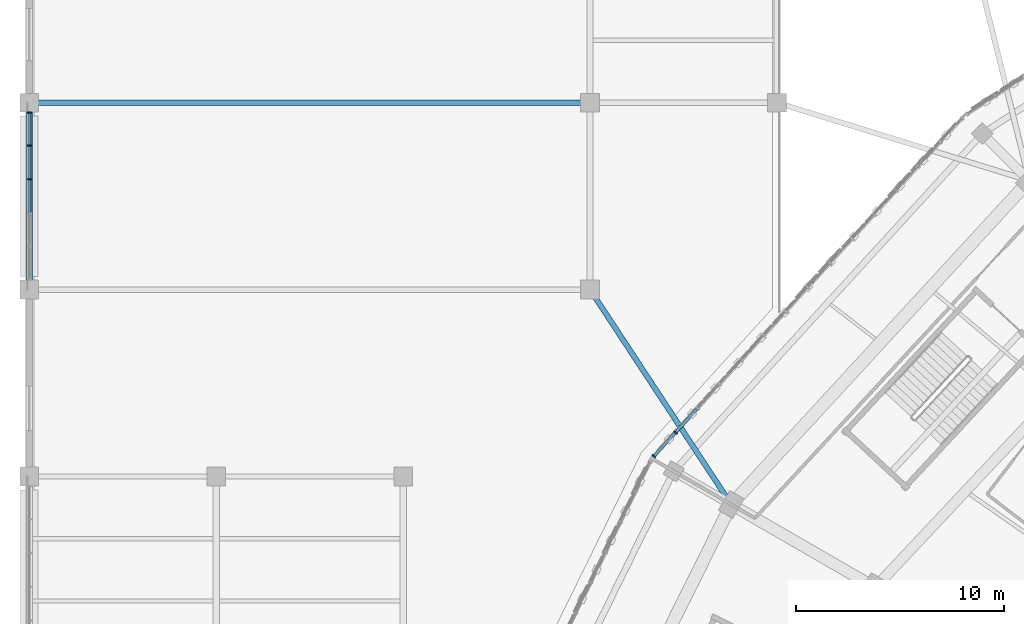
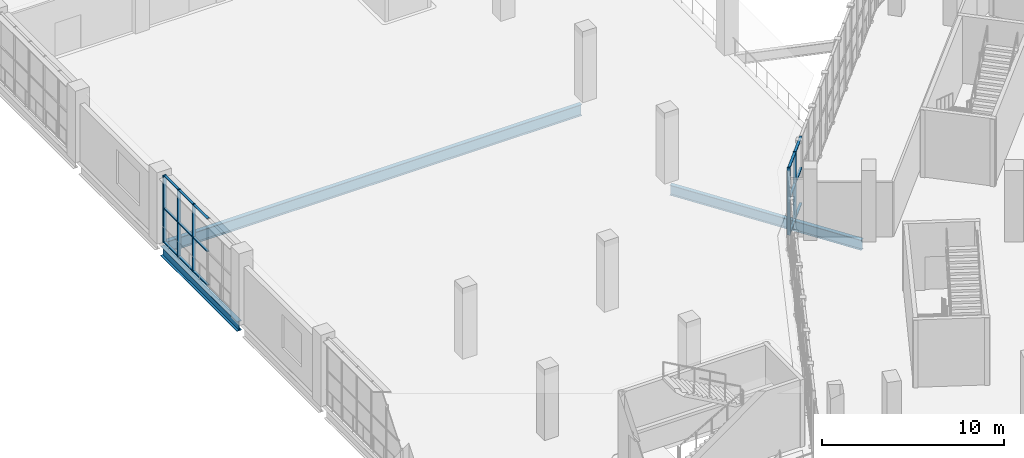
# One storey, part 44 of 183: 20 members, 3 beams, 2 elements without a shape of their own.
"""IFC4 building model written with IfcOpenShell, lengths in metres."""

from ifc_helpers import new_model, si_unit, direction, frame, origin, origin_2d, place, context, subcontext, project, spatial, rectangle, i_section, extrude, material, material_profile, profile_set, type_object, element, aggregate, save


model = new_model("IFC4")

# Units and contexts
model_context = context("Model", 3, precision=1e-05, world=origin(), true_north=direction((0.0, 1.0)))
body_context = subcontext(model_context, "Body", "Model", "MODEL_VIEW")
ifc_project = project(units=[si_unit("LENGTHUNIT", "METRE"), si_unit("AREAUNIT", "SQUARE_METRE"), si_unit("VOLUMEUNIT", "CUBIC_METRE"), si_unit("PLANEANGLEUNIT", "RADIAN"), si_unit("MASSUNIT", "GRAM", prefix="KILO")], contexts=[model_context])

# Site, building, storey
site_placement = place(None, origin())
site = spatial("IfcSite", under=ifc_project, at=site_placement, CompositionType="ELEMENT")
building_placement = place(site_placement, origin())
building = spatial("IfcBuilding", under=site, at=building_placement, Name="Zevraka Park Crest Stadium", CompositionType="ELEMENT")
storey_placement = place(building_placement, frame((0.0, 0.0, 5.39990234375)))
storey = spatial("IfcBuildingStorey", under=building, at=storey_placement, Name="L01", CompositionType="ELEMENT", Elevation=5.39990234375)

# Beams
ifc_material_1 = material(Name="Steel S355", Category="steel")
ifc_material_profile_1 = material_profile(ifc_material_1, i_section(OverallWidth=0.253662109375, OverallDepth=0.68359375, WebThickness=0.012451171875, FlangeThickness=0.01904296875, at=origin_2d()), Name="UKB 686x254x140")
ifc_profile_set_1 = profile_set([ifc_material_profile_1], Name="Steel S355")
beam_type_1 = type_object("IfcBeamType", Name="BG05", PredefinedType="BEAM", material=ifc_profile_set_1)
beam_1_placement = place(storey_placement, frame((27.110107421875, 139.8330078125, -0.649658203125), z_axis=(0.548958685994, -0.835849484699, 0.0), x_axis=(0.835849484699, 0.548958685994, 0.0)))
element("IfcBeam", 1, at=beam_1_placement, inside=storey, type_object=beam_type_1, Name="Wing Link Girder BG05 L01-4/R", PredefinedType="BEAM", context=body_context, shape_type="SweptSolid", body=[
    extrude(i_section(OverallWidth=0.253662109375, OverallDepth=0.68359375, WebThickness=0.012451171875, FlangeThickness=0.01904296875, at=origin_2d()), origin(), (0.0, 0.0, 1.0), 11.80224609375),
])
ifc_material_2 = material(Name="Steel S355", Category="steel")
ifc_material_profile_2 = material_profile(ifc_material_2, i_section(OverallWidth=0.300048828125, OverallDepth=0.64990234375, WebThickness=0.01611328125, FlangeThickness=0.031005859375, at=origin_2d()), Name="HEB 650")
ifc_profile_set_2 = profile_set([ifc_material_profile_2], Name="Steel S355")
beam_type_2 = type_object("IfcBeamType", Name="BG07", PredefinedType="BEAM", material=ifc_profile_set_2)
beam_2_placement = place(storey_placement, frame((0.0, 140.300048828125, -0.6328125), z_axis=(0.0, 1.0, 0.0), x_axis=(-1.0, 0.0, 0.0)))
element("IfcBeam", 2, at=beam_2_placement, inside=storey, type_object=beam_type_2, Name="Wing Girder BG07 L01-1/RS", PredefinedType="BEAM", context=body_context, shape_type="SweptSolid", body=[
    extrude(i_section(OverallWidth=0.300048828125, OverallDepth=0.64990234375, WebThickness=0.01611328125, FlangeThickness=0.031005859375, at=origin_2d()), origin(), (0.0, 0.0, 1.0), 8.39990234375),
])
ifc_material_3 = material(Name="Steel S355", Category="steel")
ifc_material_profile_3 = material_profile(ifc_material_3, i_section(OverallWidth=0.26708984375, OverallDepth=0.761962890625, WebThickness=0.014404296875, FlangeThickness=0.021484375, at=origin_2d()), Name="UKB 762x267x173")
ifc_profile_set_3 = profile_set([ifc_material_profile_3], Name="Steel S355")
beam_type_3 = type_object("IfcBeamType", Name="BG08", PredefinedType="BEAM", material=ifc_profile_set_3)
beam_3_placement = place(storey_placement, frame((0.300048828125, 149.0, -0.68896484375), z_axis=(1.0, 0.0, 0.0), x_axis=(0.0, 1.0, 0.0)))
element("IfcBeam", 3, at=beam_3_placement, inside=storey, type_object=beam_type_3, Name="Wing Girder BG08 L01-14/S", PredefinedType="BEAM", context=body_context, shape_type="SweptSolid", body=[
    extrude(i_section(OverallWidth=0.26708984375, OverallDepth=0.761962890625, WebThickness=0.014404296875, FlangeThickness=0.021484375, at=origin_2d()), origin(), (0.0, 0.0, 1.0), 26.39990234375),
])

# Curtain wall, members
ifc_material_4 = material(Name="Anodised architectural aluminium and laminated safety glass", Category="aluminium")
curtain_wall_type_1 = type_object("IfcCurtainWallType", Name="CW03", PredefinedType="NOTDEFINED", material=ifc_material_4)
curtain_wall_1_placement = place(storey_placement, origin())
curtain_wall_1 = element("IfcCurtainWall", 4, at=curtain_wall_1_placement, inside=storey, type_object=curtain_wall_type_1, Name="Unitised Ring Curtain Wall CW03 L01-09", PredefinedType="NOTDEFINED")
ifc_material_5 = material(Name="Anodised architectural aluminium", Category="aluminium")
ifc_material_profile_4 = material_profile(ifc_material_5, rectangle(XDim=0.199951171875, YDim=0.070068359375, at=origin_2d()), Name="ALU MULLION 200x70")
ifc_profile_set_4 = profile_set([ifc_material_profile_4], Name="Anodised architectural aluminium")
member_type_1 = type_object("IfcMemberType", Name="CM03", PredefinedType="MULLION", material=ifc_profile_set_4)
member_1_placement = place(storey_placement, frame((31.11669921875, 133.11572265625, 0.0), z_axis=(0.0, 0.0, 1.0), x_axis=(0.739023476371, -0.673679672672, 0.0)))
member_1 = element("IfcMember", 5, at=member_1_placement, type_object=member_type_1, Name="CW03 mullion 14", PredefinedType="MULLION", context=body_context, shape_type="SweptSolid", body=[
    extrude(rectangle(XDim=0.199951171875, YDim=0.070068359375, at=origin_2d()), origin(), (0.0, 0.0, 1.0), 4.52001953125),
])
member_2_placement = place(storey_placement, frame((30.07763671875, 131.975830078125, 0.0), z_axis=(0.0, 0.0, 1.0), x_axis=(0.739023476371, -0.673679672672, 0.0)))
member_2 = element("IfcMember", 6, at=member_2_placement, type_object=member_type_1, Name="CW03 mullion 15", PredefinedType="MULLION", context=body_context, shape_type="SweptSolid", body=[
    extrude(rectangle(XDim=0.199951171875, YDim=0.070068359375, at=origin_2d()), origin(), (0.0, 0.0, 1.0), 4.52001953125),
])

ifc_material_6 = material(Name="Anodised architectural aluminium and laminated safety glass", Category="aluminium")
curtain_wall_type_2 = type_object("IfcCurtainWallType", Name="CW30", PredefinedType="NOTDEFINED", material=ifc_material_6)
curtain_wall_2_placement = place(storey_placement, origin())
curtain_wall_2 = element("IfcCurtainWall", 7, at=curtain_wall_2_placement, inside=storey, type_object=curtain_wall_type_2, Name="Wing Curtain Wall CW30 L01-NW-W-4", PredefinedType="NOTDEFINED")
member_3_placement = place(storey_placement, frame((0.0, 145.31201171875, 0.0), z_axis=(0.0, 0.0, 1.0), x_axis=(-1.0, 0.0, 0.0)))
member_3 = element("IfcMember", 8, at=member_3_placement, type_object=member_type_1, Name="CW30 mullion 4", PredefinedType="MULLION", context=body_context, shape_type="SweptSolid", body=[
    extrude(rectangle(XDim=0.199951171875, YDim=0.070068359375, at=origin_2d()), origin(), (0.0, 0.0, 1.0), 4.52001953125),
])
member_4_placement = place(storey_placement, frame((0.0, 146.93603515625, 0.0), z_axis=(0.0, 0.0, 1.0), x_axis=(-1.0, 0.0, 0.0)))
member_4 = element("IfcMember", 9, at=member_4_placement, type_object=member_type_1, Name="CW30 mullion 5", PredefinedType="MULLION", context=body_context, shape_type="SweptSolid", body=[
    extrude(rectangle(XDim=0.199951171875, YDim=0.070068359375, at=origin_2d()), origin(), (0.0, 0.0, 1.0), 4.52001953125),
])
member_5_placement = place(storey_placement, frame((0.0, 148.52490234375, 0.0), z_axis=(0.0, 0.0, 1.0), x_axis=(-1.0, 0.0, 0.0)))
member_5 = element("IfcMember", 10, at=member_5_placement, type_object=member_type_1, Name="CW30 mullion 6", PredefinedType="MULLION", context=body_context, shape_type="SweptSolid", body=[
    extrude(rectangle(XDim=0.199951171875, YDim=0.070068359375, at=origin_2d()), origin(), (0.0, 0.0, 1.0), 4.52001953125),
])

# Member
ifc_material_7 = material(Name="Anodised architectural aluminium", Category="aluminium")
ifc_material_profile_5 = material_profile(ifc_material_7, rectangle(XDim=0.14990234375, YDim=0.070068359375, at=origin_2d()), Name="ALU TRANSOM 150x70")
ifc_profile_set_5 = profile_set([ifc_material_profile_5], Name="Anodised architectural aluminium")
member_type_2 = type_object("IfcMemberType", Name="CT03", PredefinedType="USERDEFINED", material=ifc_profile_set_5)
member_6_placement = place(storey_placement, frame((32.15576171875, 134.255615234375, 0.03515625), z_axis=(-0.673720043681, -0.738986672913, 0.0), x_axis=(0.738986672913, -0.673720043681, 0.0)))
member_6 = element("IfcMember", 11, at=member_6_placement, type_object=member_type_2, Name="CW03 transom 13.1", ObjectType="TRANSOM", PredefinedType="USERDEFINED", context=body_context, shape_type="SweptSolid", body=[
    extrude(rectangle(XDim=0.14990234375, YDim=0.070068359375, at=origin_2d()), origin(), (0.0, 0.0, 1.0), 1.507568359375),
])

member_7_placement = place(storey_placement, frame((32.15576171875, 134.255615234375, 2.400146484375), z_axis=(-0.673720043681, -0.738986672913, 0.0), x_axis=(0.738986672913, -0.673720043681, 0.0)))
member_7 = element("IfcMember", 12, at=member_7_placement, type_object=member_type_2, Name="CW03 transom 13.2", ObjectType="TRANSOM", PredefinedType="USERDEFINED", context=body_context, shape_type="SweptSolid", body=[
    extrude(rectangle(XDim=0.14990234375, YDim=0.070068359375, at=origin_2d()), origin(), (0.0, 0.0, 1.0), 1.507568359375),
])

member_8_placement = place(storey_placement, frame((32.15576171875, 134.255615234375, 4.485107421875), z_axis=(-0.673720043681, -0.738986672913, 0.0), x_axis=(0.738986672913, -0.673720043681, 0.0)))
member_8 = element("IfcMember", 13, at=member_8_placement, type_object=member_type_2, Name="CW03 transom 13.3", ObjectType="TRANSOM", PredefinedType="USERDEFINED", context=body_context, shape_type="SweptSolid", body=[
    extrude(rectangle(XDim=0.14990234375, YDim=0.070068359375, at=origin_2d()), origin(), (0.0, 0.0, 1.0), 1.507568359375),
])

member_9_placement = place(storey_placement, frame((31.093017578125, 133.08984375, 0.03515625), z_axis=(-0.673687280194, -0.739016541429, 0.0), x_axis=(0.739016541429, -0.673687280194, 0.0)))
member_9 = element("IfcMember", 14, at=member_9_placement, type_object=member_type_2, Name="CW03 transom 14.1", ObjectType="TRANSOM", PredefinedType="USERDEFINED", context=body_context, shape_type="SweptSolid", body=[
    extrude(rectangle(XDim=0.14990234375, YDim=0.070068359375, at=origin_2d()), origin(), (0.0, 0.0, 1.0), 1.472412109375),
])

member_10_placement = place(storey_placement, frame((31.093017578125, 133.08984375, 2.400146484375), z_axis=(-0.673687280194, -0.739016541429, 0.0), x_axis=(0.739016541429, -0.673687280194, 0.0)))
member_10 = element("IfcMember", 15, at=member_10_placement, type_object=member_type_2, Name="CW03 transom 14.2", ObjectType="TRANSOM", PredefinedType="USERDEFINED", context=body_context, shape_type="SweptSolid", body=[
    extrude(rectangle(XDim=0.14990234375, YDim=0.070068359375, at=origin_2d()), origin(), (0.0, 0.0, 1.0), 1.472412109375),
])

member_11_placement = place(storey_placement, frame((31.093017578125, 133.08984375, 4.485107421875), z_axis=(-0.673687280194, -0.739016541429, 0.0), x_axis=(0.739016541429, -0.673687280194, 0.0)))
member_11 = element("IfcMember", 16, at=member_11_placement, type_object=member_type_2, Name="CW03 transom 14.3", ObjectType="TRANSOM", PredefinedType="USERDEFINED", context=body_context, shape_type="SweptSolid", body=[
    extrude(rectangle(XDim=0.14990234375, YDim=0.070068359375, at=origin_2d()), origin(), (0.0, 0.0, 1.0), 1.472412109375),
])

aggregate(curtain_wall_1, [member_1, member_2, member_6, member_7, member_8, member_9, member_10, member_11])

member_12_placement = place(storey_placement, frame((0.0, 143.722900390625, 0.03515625), z_axis=(0.0, 1.0, 0.0), x_axis=(-1.0, 0.0, 0.0)))
member_12 = element("IfcMember", 17, at=member_12_placement, type_object=member_type_2, Name="CW30 transom 3.1", ObjectType="TRANSOM", PredefinedType="USERDEFINED", context=body_context, shape_type="SweptSolid", body=[
    extrude(rectangle(XDim=0.14990234375, YDim=0.070068359375, at=origin_2d()), origin(), (0.0, 0.0, 1.0), 1.55419921875),
])

member_13_placement = place(storey_placement, frame((0.0, 143.722900390625, 2.300048828125), z_axis=(0.0, 1.0, 0.0), x_axis=(-1.0, 0.0, 0.0)))
member_13 = element("IfcMember", 18, at=member_13_placement, type_object=member_type_2, Name="CW30 transom 3.2", ObjectType="TRANSOM", PredefinedType="USERDEFINED", context=body_context, shape_type="SweptSolid", body=[
    extrude(rectangle(XDim=0.14990234375, YDim=0.070068359375, at=origin_2d()), origin(), (0.0, 0.0, 1.0), 1.55419921875),
])

member_14_placement = place(storey_placement, frame((0.0, 143.722900390625, 4.485107421875), z_axis=(0.0, 1.0, 0.0), x_axis=(-1.0, 0.0, 0.0)))
member_14 = element("IfcMember", 19, at=member_14_placement, type_object=member_type_2, Name="CW30 transom 3.3", ObjectType="TRANSOM", PredefinedType="USERDEFINED", context=body_context, shape_type="SweptSolid", body=[
    extrude(rectangle(XDim=0.14990234375, YDim=0.070068359375, at=origin_2d()), origin(), (0.0, 0.0, 1.0), 1.55419921875),
])

member_15_placement = place(storey_placement, frame((0.0, 145.346923828125, 0.03515625), z_axis=(0.0, 1.0, 0.0), x_axis=(-1.0, 0.0, 0.0)))
member_15 = element("IfcMember", 20, at=member_15_placement, type_object=member_type_2, Name="CW30 transom 4.1", ObjectType="TRANSOM", PredefinedType="USERDEFINED", context=body_context, shape_type="SweptSolid", body=[
    extrude(rectangle(XDim=0.14990234375, YDim=0.070068359375, at=origin_2d()), origin(), (0.0, 0.0, 1.0), 1.553955078125),
])

member_16_placement = place(storey_placement, frame((0.0, 145.346923828125, 2.300048828125), z_axis=(0.0, 1.0, 0.0), x_axis=(-1.0, 0.0, 0.0)))
member_16 = element("IfcMember", 21, at=member_16_placement, type_object=member_type_2, Name="CW30 transom 4.2", ObjectType="TRANSOM", PredefinedType="USERDEFINED", context=body_context, shape_type="SweptSolid", body=[
    extrude(rectangle(XDim=0.14990234375, YDim=0.070068359375, at=origin_2d()), origin(), (0.0, 0.0, 1.0), 1.553955078125),
])

member_17_placement = place(storey_placement, frame((0.0, 145.346923828125, 4.485107421875), z_axis=(0.0, 1.0, 0.0), x_axis=(-1.0, 0.0, 0.0)))
member_17 = element("IfcMember", 22, at=member_17_placement, type_object=member_type_2, Name="CW30 transom 4.3", ObjectType="TRANSOM", PredefinedType="USERDEFINED", context=body_context, shape_type="SweptSolid", body=[
    extrude(rectangle(XDim=0.14990234375, YDim=0.070068359375, at=origin_2d()), origin(), (0.0, 0.0, 1.0), 1.553955078125),
])

member_18_placement = place(storey_placement, frame((0.0, 146.970947265625, 0.03515625), z_axis=(0.0, 1.0, 0.0), x_axis=(-1.0, 0.0, 0.0)))
member_18 = element("IfcMember", 23, at=member_18_placement, type_object=member_type_2, Name="CW30 transom 5.1", ObjectType="TRANSOM", PredefinedType="USERDEFINED", context=body_context, shape_type="SweptSolid", body=[
    extrude(rectangle(XDim=0.14990234375, YDim=0.070068359375, at=origin_2d()), origin(), (0.0, 0.0, 1.0), 1.51904296875),
])

member_19_placement = place(storey_placement, frame((0.0, 146.970947265625, 2.300048828125), z_axis=(0.0, 1.0, 0.0), x_axis=(-1.0, 0.0, 0.0)))
member_19 = element("IfcMember", 24, at=member_19_placement, type_object=member_type_2, Name="CW30 transom 5.2", ObjectType="TRANSOM", PredefinedType="USERDEFINED", context=body_context, shape_type="SweptSolid", body=[
    extrude(rectangle(XDim=0.14990234375, YDim=0.070068359375, at=origin_2d()), origin(), (0.0, 0.0, 1.0), 1.51904296875),
])

member_20_placement = place(storey_placement, frame((0.0, 146.970947265625, 4.485107421875), z_axis=(0.0, 1.0, 0.0), x_axis=(-1.0, 0.0, 0.0)))
member_20 = element("IfcMember", 25, at=member_20_placement, type_object=member_type_2, Name="CW30 transom 5.3", ObjectType="TRANSOM", PredefinedType="USERDEFINED", context=body_context, shape_type="SweptSolid", body=[
    extrude(rectangle(XDim=0.14990234375, YDim=0.070068359375, at=origin_2d()), origin(), (0.0, 0.0, 1.0), 1.51904296875),
])

aggregate(curtain_wall_2, [member_3, member_4, member_5, member_12, member_13, member_14, member_15, member_16, member_17, member_18, member_19, member_20])

save(model, "model.ifc")
